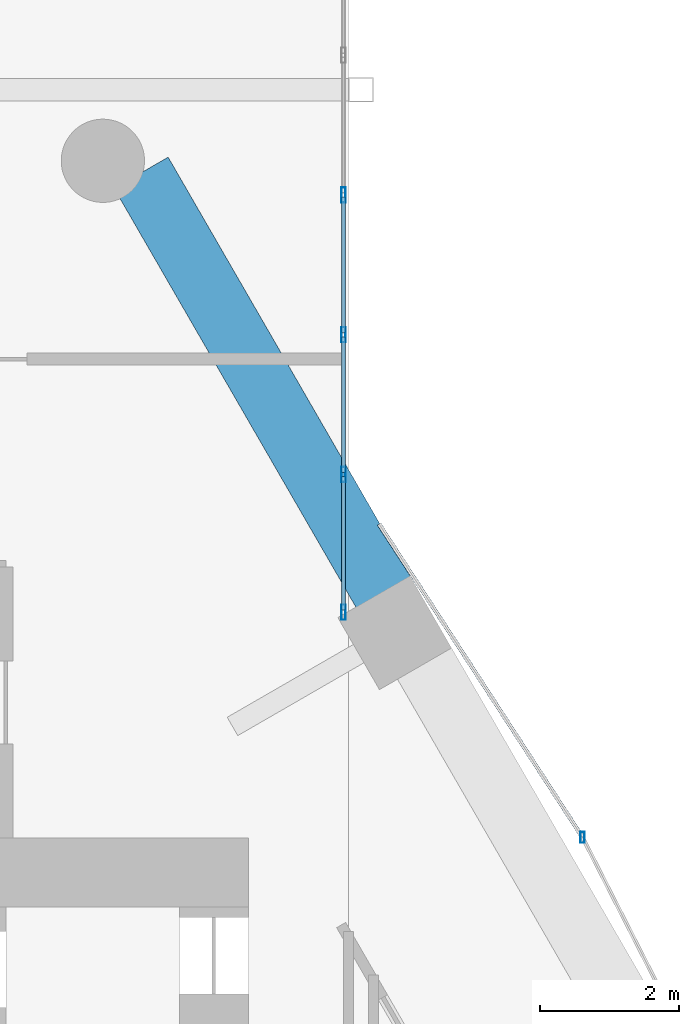
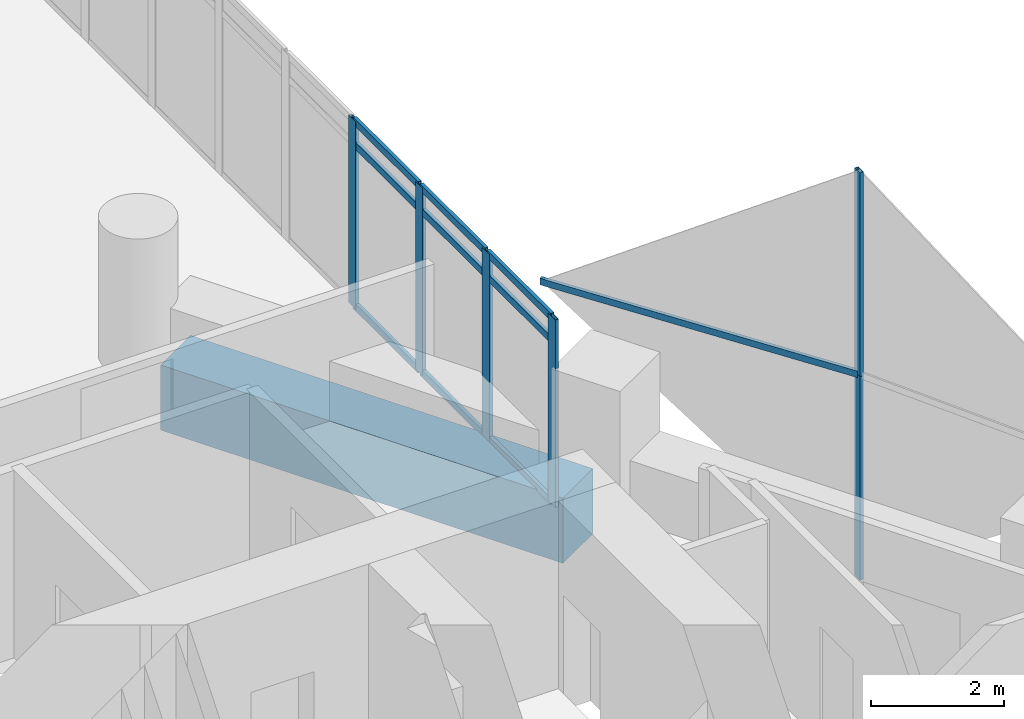
# One storey, part 22 of 36: 16 members, 1 beam, 3 elements without a shape of their own.
"""IFC4 building model written with IfcOpenShell, lengths in metres."""

from ifc_helpers import new_model, si_unit, direction, frame, origin, origin_2d, place, context, subcontext, project, spatial, rectangle, hollow_rectangle, extrude, material, material_profile, profile_set, type_object, element, aggregate, save


model = new_model("IFC4")

# Units and contexts
model_context = context("Model", 3, precision=1e-05, world=origin(), true_north=direction((0.0, 1.0)))
body_context = subcontext(model_context, "Body", "Model", "MODEL_VIEW")
ifc_project = project(units=[si_unit("LENGTHUNIT", "METRE"), si_unit("AREAUNIT", "SQUARE_METRE"), si_unit("VOLUMEUNIT", "CUBIC_METRE"), si_unit("PLANEANGLEUNIT", "RADIAN"), si_unit("MASSUNIT", "GRAM", prefix="KILO")], contexts=[model_context])

# Site, building, storey
site_placement = place(None, origin())
site = spatial("IfcSite", under=ifc_project, at=site_placement, CompositionType="ELEMENT")
building_placement = place(site_placement, origin())
building = spatial("IfcBuilding", under=site, at=building_placement, Name="Ostrander Bayou Hotel Tower", CompositionType="ELEMENT")
storey_placement = place(building_placement, frame((0.0, 0.0, 138.5)))
storey = spatial("IfcBuildingStorey", under=building, at=storey_placement, Name="L34", CompositionType="ELEMENT", Elevation=138.5)

# Curtain wall, members
ifc_material_1 = material(Name="Aluminium and clear glass", Category="aluminium")
curtain_wall_type_1 = type_object("IfcCurtainWallType", Name="CW-BAR glazed wall", PredefinedType="NOTDEFINED", material=ifc_material_1)
curtain_wall_1_placement = place(storey_placement, origin())
curtain_wall_1 = element("IfcCurtainWall", 1, at=curtain_wall_1_placement, inside=storey, type_object=curtain_wall_type_1, Name="CW-BAR L34:SB3N:W", PredefinedType="NOTDEFINED")
ifc_material_2 = material(Name="Aluminium", Category="aluminium")
ifc_material_profile_1 = material_profile(ifc_material_2, hollow_rectangle(XDim=0.06005859375, YDim=0.219970703125, WallThickness=0.00390625, at=origin_2d()))
ifc_profile_set_1 = profile_set([ifc_material_profile_1], Name="Aluminium")
member_type_1 = type_object("IfcMemberType", Name="CW-BR mullion 60 x 220 mm", PredefinedType="MULLION", material=ifc_profile_set_1)
member_1_placement = place(storey_placement, frame((13.3671875, 12.951416015625, 0.0), z_axis=(0.0, 0.0, 1.0), x_axis=(-1.0, 0.0, 0.0)))
member_1 = element("IfcMember", 2, at=member_1_placement, type_object=member_type_1, Name="CW-BAR mullion 1", PredefinedType="MULLION", context=body_context, shape_type="SweptSolid", body=[
    extrude(hollow_rectangle(XDim=0.06005859375, YDim=0.219970703125, WallThickness=0.00390625, at=origin_2d()), origin(), (0.0, 0.0, 1.0), 3.449951171875),
])
member_2_placement = place(storey_placement, frame((13.3671875, 14.93603515625, 0.0), z_axis=(0.0, 0.0, 1.0), x_axis=(-1.0, 0.0, 0.0)))
member_2 = element("IfcMember", 3, at=member_2_placement, type_object=member_type_1, Name="CW-BAR mullion 2", PredefinedType="MULLION", context=body_context, shape_type="SweptSolid", body=[
    extrude(hollow_rectangle(XDim=0.06005859375, YDim=0.219970703125, WallThickness=0.00390625, at=origin_2d()), origin(), (0.0, 0.0, 1.0), 3.449951171875),
])
member_3_placement = place(storey_placement, frame((13.3671875, 16.950439453125, 0.0), z_axis=(0.0, 0.0, 1.0), x_axis=(-1.0, 0.0, 0.0)))
member_3 = element("IfcMember", 4, at=member_3_placement, type_object=member_type_1, Name="CW-BAR mullion 3", PredefinedType="MULLION", context=body_context, shape_type="SweptSolid", body=[
    extrude(hollow_rectangle(XDim=0.06005859375, YDim=0.219970703125, WallThickness=0.00390625, at=origin_2d()), origin(), (0.0, 0.0, 1.0), 3.449951171875),
])
member_4_placement = place(storey_placement, frame((13.3671875, 18.96484375, 0.0), z_axis=(0.0, 0.0, 1.0), x_axis=(-1.0, 0.0, 0.0)))
member_4 = element("IfcMember", 5, at=member_4_placement, type_object=member_type_1, Name="CW-BAR mullion 4", PredefinedType="MULLION", context=body_context, shape_type="SweptSolid", body=[
    extrude(hollow_rectangle(XDim=0.06005859375, YDim=0.219970703125, WallThickness=0.00390625, at=origin_2d()), origin(), (0.0, 0.0, 1.0), 3.449951171875),
])
ifc_material_3 = material(Name="Aluminium", Category="aluminium")
ifc_material_profile_2 = material_profile(ifc_material_3, hollow_rectangle(XDim=0.06005859375, YDim=0.1298828125, WallThickness=0.00390625, at=origin_2d()))
ifc_profile_set_2 = profile_set([ifc_material_profile_2], Name="Aluminium")
member_type_2 = type_object("IfcMemberType", Name="CW-BR transom 60 x 130 mm", PredefinedType="USERDEFINED", material=ifc_profile_set_2)
member_5_placement = place(storey_placement, frame((13.3671875, 12.9814453125, 0.030029296875), z_axis=(0.0, 1.0, 0.0), x_axis=(-1.0, 0.0, 0.0)))
member_5 = element("IfcMember", 6, at=member_5_placement, type_object=member_type_2, Name="CW-BAR transom 1.1", ObjectType="TRANSOM", PredefinedType="USERDEFINED", context=body_context, shape_type="SweptSolid", body=[
    extrude(hollow_rectangle(XDim=0.06005859375, YDim=0.1298828125, WallThickness=0.00390625, at=origin_2d()), origin(), (0.0, 0.0, 1.0), 1.924560546875),
])
member_6_placement = place(storey_placement, frame((13.3671875, 12.9814453125, 3.0), z_axis=(0.0, 1.0, 0.0), x_axis=(-1.0, 0.0, 0.0)))
member_6 = element("IfcMember", 7, at=member_6_placement, type_object=member_type_2, Name="CW-BAR transom 1.2", ObjectType="TRANSOM", PredefinedType="USERDEFINED", context=body_context, shape_type="SweptSolid", body=[
    extrude(hollow_rectangle(XDim=0.06005859375, YDim=0.1298828125, WallThickness=0.00390625, at=origin_2d()), origin(), (0.0, 0.0, 1.0), 1.924560546875),
])
member_7_placement = place(storey_placement, frame((13.3671875, 12.9814453125, 3.419921875), z_axis=(0.0, 1.0, 0.0), x_axis=(-1.0, 0.0, 0.0)))
member_7 = element("IfcMember", 8, at=member_7_placement, type_object=member_type_2, Name="CW-BAR transom 1.3", ObjectType="TRANSOM", PredefinedType="USERDEFINED", context=body_context, shape_type="SweptSolid", body=[
    extrude(hollow_rectangle(XDim=0.06005859375, YDim=0.1298828125, WallThickness=0.00390625, at=origin_2d()), origin(), (0.0, 0.0, 1.0), 1.924560546875),
])
member_8_placement = place(storey_placement, frame((13.3671875, 14.966064453125, 0.030029296875), z_axis=(0.0, 1.0, 0.0), x_axis=(-1.0, 0.0, 0.0)))
member_8 = element("IfcMember", 9, at=member_8_placement, type_object=member_type_2, Name="CW-BAR transom 2.1", ObjectType="TRANSOM", PredefinedType="USERDEFINED", context=body_context, shape_type="SweptSolid", body=[
    extrude(hollow_rectangle(XDim=0.06005859375, YDim=0.1298828125, WallThickness=0.00390625, at=origin_2d()), origin(), (0.0, 0.0, 1.0), 1.954345703125),
])
member_9_placement = place(storey_placement, frame((13.3671875, 14.966064453125, 3.0), z_axis=(0.0, 1.0, 0.0), x_axis=(-1.0, 0.0, 0.0)))
member_9 = element("IfcMember", 10, at=member_9_placement, type_object=member_type_2, Name="CW-BAR transom 2.2", ObjectType="TRANSOM", PredefinedType="USERDEFINED", context=body_context, shape_type="SweptSolid", body=[
    extrude(hollow_rectangle(XDim=0.06005859375, YDim=0.1298828125, WallThickness=0.00390625, at=origin_2d()), origin(), (0.0, 0.0, 1.0), 1.954345703125),
])
member_10_placement = place(storey_placement, frame((13.3671875, 14.966064453125, 3.419921875), z_axis=(0.0, 1.0, 0.0), x_axis=(-1.0, 0.0, 0.0)))
member_10 = element("IfcMember", 11, at=member_10_placement, type_object=member_type_2, Name="CW-BAR transom 2.3", ObjectType="TRANSOM", PredefinedType="USERDEFINED", context=body_context, shape_type="SweptSolid", body=[
    extrude(hollow_rectangle(XDim=0.06005859375, YDim=0.1298828125, WallThickness=0.00390625, at=origin_2d()), origin(), (0.0, 0.0, 1.0), 1.954345703125),
])
member_11_placement = place(storey_placement, frame((13.3671875, 16.98046875, 0.030029296875), z_axis=(0.0, 1.0, 0.0), x_axis=(-1.0, 0.0, 0.0)))
member_11 = element("IfcMember", 12, at=member_11_placement, type_object=member_type_2, Name="CW-BAR transom 3.1", ObjectType="TRANSOM", PredefinedType="USERDEFINED", context=body_context, shape_type="SweptSolid", body=[
    extrude(hollow_rectangle(XDim=0.06005859375, YDim=0.1298828125, WallThickness=0.00390625, at=origin_2d()), origin(), (0.0, 0.0, 1.0), 1.954345703125),
])
member_12_placement = place(storey_placement, frame((13.3671875, 16.98046875, 3.0), z_axis=(0.0, 1.0, 0.0), x_axis=(-1.0, 0.0, 0.0)))
member_12 = element("IfcMember", 13, at=member_12_placement, type_object=member_type_2, Name="CW-BAR transom 3.2", ObjectType="TRANSOM", PredefinedType="USERDEFINED", context=body_context, shape_type="SweptSolid", body=[
    extrude(hollow_rectangle(XDim=0.06005859375, YDim=0.1298828125, WallThickness=0.00390625, at=origin_2d()), origin(), (0.0, 0.0, 1.0), 1.954345703125),
])
member_13_placement = place(storey_placement, frame((13.3671875, 16.98046875, 3.419921875), z_axis=(0.0, 1.0, 0.0), x_axis=(-1.0, 0.0, 0.0)))
member_13 = element("IfcMember", 14, at=member_13_placement, type_object=member_type_2, Name="CW-BAR transom 3.3", ObjectType="TRANSOM", PredefinedType="USERDEFINED", context=body_context, shape_type="SweptSolid", body=[
    extrude(hollow_rectangle(XDim=0.06005859375, YDim=0.1298828125, WallThickness=0.00390625, at=origin_2d()), origin(), (0.0, 0.0, 1.0), 1.954345703125),
])
aggregate(curtain_wall_1, [member_1, member_2, member_3, member_4, member_5, member_6, member_7, member_8, member_9, member_10, member_11, member_12, member_13])

ifc_material_4 = material(Name="Aluminium and clear glass", Category="aluminium")
curtain_wall_type_2 = type_object("IfcCurtainWallType", Name="CW-LAT lattice glazing", PredefinedType="NOTDEFINED", material=ifc_material_4)
curtain_wall_2_placement = place(storey_placement, origin())
curtain_wall_2 = element("IfcCurtainWall", 15, at=curtain_wall_2_placement, inside=storey, type_object=curtain_wall_type_2, Name="CW-LAT L34 NE 1", PredefinedType="NOTDEFINED")
ifc_material_5 = material(Name="Aluminium", Category="aluminium")
ifc_material_profile_3 = material_profile(ifc_material_5, hollow_rectangle(XDim=0.06005859375, YDim=0.159912109375, WallThickness=0.00390625, at=origin_2d()))
ifc_profile_set_3 = profile_set([ifc_material_profile_3], Name="Aluminium")
member_type_3 = type_object("IfcMemberType", Name="CW-LA mullion 60 x 160 mm", PredefinedType="MULLION", material=ifc_profile_set_3)
member_14_placement = place(storey_placement, frame((16.8125, 9.706787109375, -0.60009765625), z_axis=(0.0, 0.0, 1.0), x_axis=(1.0, 0.0, 0.0)))
member_14 = element("IfcMember", 16, at=member_14_placement, type_object=member_type_3, Name="CW-LAT mullion 4", PredefinedType="MULLION", context=body_context, shape_type="SweptSolid", body=[
    extrude(hollow_rectangle(XDim=0.06005859375, YDim=0.159912109375, WallThickness=0.00390625, at=origin_2d()), origin(), (0.0, 0.0, 1.0), 3.75),
])
member_15_placement = place(storey_placement, frame((16.8125, 9.706787109375, 3.14990234375), z_axis=(0.0, 0.0, 1.0), x_axis=(1.0, 0.0, 0.0)))
member_15 = element("IfcMember", 17, at=member_15_placement, type_object=member_type_3, Name="CW-LAT mullion 5", PredefinedType="MULLION", context=body_context, shape_type="SweptSolid", body=[
    extrude(hollow_rectangle(XDim=0.06005859375, YDim=0.159912109375, WallThickness=0.00390625, at=origin_2d()), origin(), (0.0, 0.0, 1.0), 3.75),
])
aggregate(curtain_wall_2, [member_14, member_15])

# Curtain wall, member
curtain_wall_3_placement = place(storey_placement, origin())
curtain_wall_3 = element("IfcCurtainWall", 18, at=curtain_wall_3_placement, inside=storey, type_object=curtain_wall_type_2, Name="CW-LAT L34 NE 2", PredefinedType="NOTDEFINED")
ifc_material_6 = material(Name="Aluminium", Category="aluminium")
ifc_material_profile_4 = material_profile(ifc_material_6, hollow_rectangle(XDim=0.06005859375, YDim=0.1201171875, WallThickness=0.00390625, at=origin_2d()))
ifc_profile_set_4 = profile_set([ifc_material_profile_4], Name="Aluminium")
member_type_4 = type_object("IfcMemberType", Name="CW-LA transom 60 x 120 mm", PredefinedType="USERDEFINED", material=ifc_profile_set_4)
member_16_placement = place(storey_placement, frame((16.8125, 9.706787109375, 3.14990234375), z_axis=(-0.544623257182, 0.838680813979, 0.0), x_axis=(-0.838680813979, -0.544623257182, 0.0)))
member_16 = element("IfcMember", 19, at=member_16_placement, type_object=member_type_4, Name="CW-LAT transom 7", ObjectType="TRANSOM", PredefinedType="USERDEFINED", context=body_context, shape_type="SweptSolid", body=[
    extrude(hollow_rectangle(XDim=0.06005859375, YDim=0.1201171875, WallThickness=0.00390625, at=origin_2d()), origin(), (0.0, 0.0, 1.0), 5.38330078125),
])
aggregate(curtain_wall_3, [member_16])

# Beam
ifc_material_7 = material(Name="Concrete f'c 70 MPa", Category="concrete")
ifc_material_profile_5 = material_profile(ifc_material_7, rectangle(XDim=0.89990234375, YDim=1.199951171875, at=origin_2d()))
ifc_profile_set_5 = profile_set([ifc_material_profile_5], Name="Concrete f'c 70 MPa")
beam_type = type_object("IfcBeamType", Name="SP2 spandrel beam 900 x 1200 mm f'c 70 MPa", PredefinedType="SPANDREL", material=ifc_profile_set_5)
beam_placement = place(storey_placement, frame((13.95068359375, 13.2236328125, -0.60009765625), z_axis=(-0.499991127072, 0.866030526511, 0.0), x_axis=(-0.866030526511, -0.499991127072, 0.0)))
element("IfcBeam", 20, at=beam_placement, inside=storey, type_object=beam_type, Name="SP2 L34 NE-3", PredefinedType="SPANDREL", context=body_context, shape_type="SweptSolid", body=[
    extrude(rectangle(XDim=0.89990234375, YDim=1.199951171875, at=origin_2d()), origin(), (0.0, 0.0, 1.0), 7.000732421875),
])

save(model, "model.ifc")
